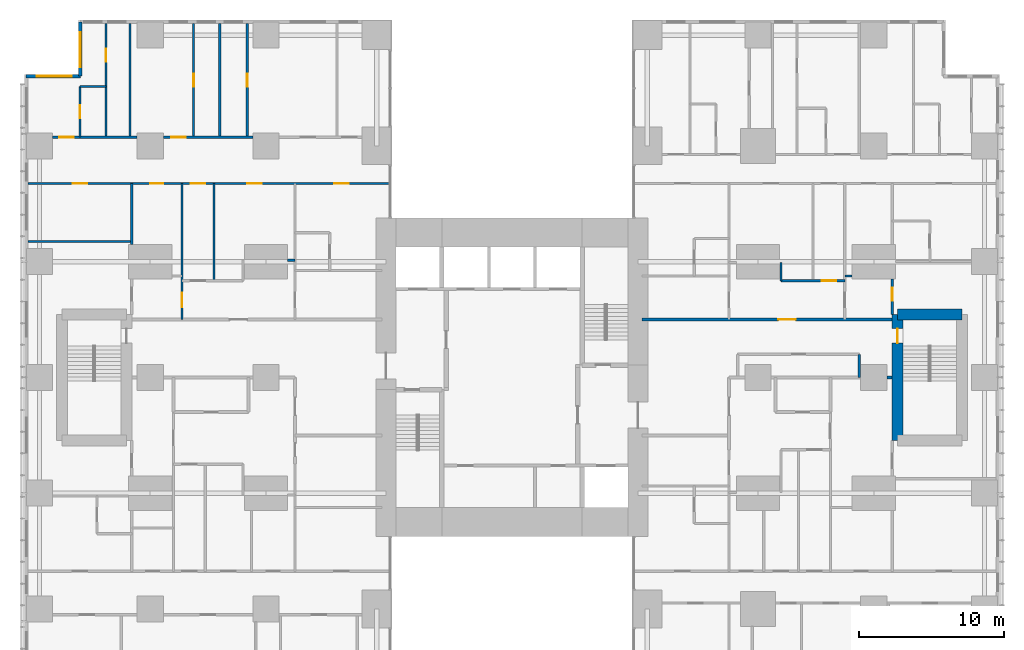
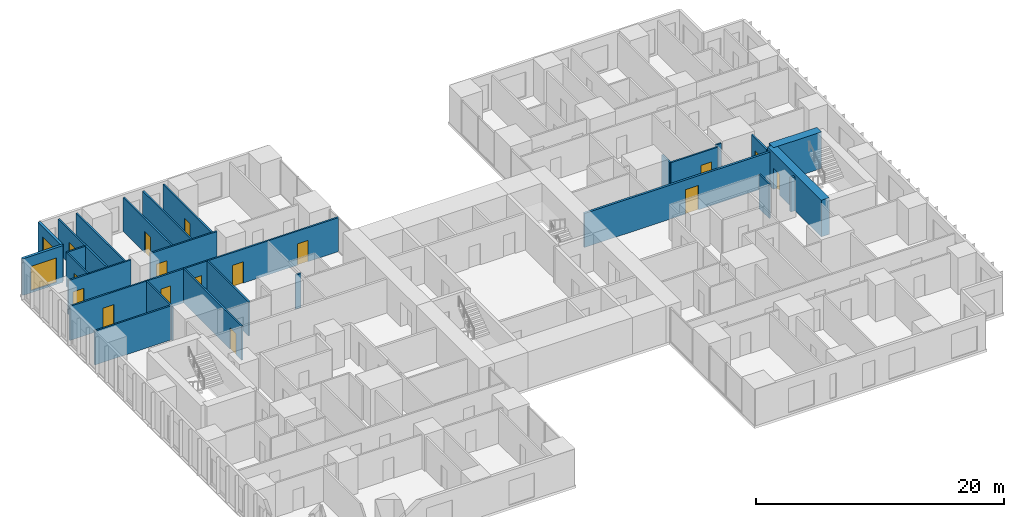
# One storey, part 16 of 20: 26 walls, 16 doors, 2 windows, 18 openings.
"""IFC4 building model written with IfcOpenShell, lengths in metres."""

from ifc_helpers import new_model, si_unit, direction, frame, frame_2d, origin, place, context, subcontext, project, spatial, rectangle, extrude, material, layer, layer_set, type_object, element, fill, save


model = new_model("IFC4")

# Units and contexts
model_context = context("Model", 3, precision=1e-05, world=origin(), true_north=direction((0.0, 1.0)))
body_context = subcontext(model_context, "Body", "Model", "MODEL_VIEW")
ifc_project = project(units=[si_unit("LENGTHUNIT", "METRE"), si_unit("AREAUNIT", "SQUARE_METRE"), si_unit("VOLUMEUNIT", "CUBIC_METRE"), si_unit("PLANEANGLEUNIT", "RADIAN"), si_unit("MASSUNIT", "GRAM", prefix="KILO")], contexts=[model_context])

# Site, building, storey
site_placement = place(None, origin())
site = spatial("IfcSite", under=ifc_project, at=site_placement, CompositionType="ELEMENT")
building_placement = place(site_placement, origin())
building = spatial("IfcBuilding", under=site, at=building_placement, Name="Cleftline Residences", CompositionType="ELEMENT")
storey_placement = place(building_placement, frame((0.0, 0.0, 196.60009765625)))
storey = spatial("IfcBuildingStorey", under=building, at=storey_placement, Name="L51", CompositionType="ELEMENT", Elevation=196.60009765625)

# Wall, opening, window
ifc_material_1 = material(Name="Rendered reinforced concrete blockwork", Category="masonry")
ifc_layer_1 = layer(ifc_material_1, 0.25)
ifc_layer_set_1 = layer_set([ifc_layer_1], Name="EXTERNAL WALL 250")
wall_type_1 = type_object("IfcWallType", Name="EXTERNAL WALL 250", PredefinedType="SOLIDWALL", material=ifc_layer_set_1)
wall_1_placement = place(storey_placement, frame((3.175048828125, 48.574951171875, 0.0), z_axis=(0.0, 0.0, 1.0), x_axis=(0.0, -1.0, 0.0)))
wall_1 = element("IfcWall", 1, at=wall_1_placement, inside=storey, type_object=wall_type_1, Name="External wall", PredefinedType="SOLIDWALL", context=body_context, shape_type="SweptSolid", body=[
    extrude(rectangle(XDim=3.75, YDim=0.25, at=frame_2d((1.875, 0.0))), origin(), (0.0, 0.0, 1.0), 3.599853515625),
])
opening_1_placement = place(wall_1_placement, frame((0.737548828125, 0.0, 0.199951171875)))
opening_1 = element("IfcOpeningElement", 2, at=opening_1_placement, cuts=wall_1, Name="Opening W9", PredefinedType="OPENING", context=body_context, shape_type="SweptSolid", body=[
    extrude(rectangle(XDim=2.39990234375, YDim=2.39990234375, at=frame_2d((1.199951171875, 1.199951171875))), frame((0.0, 0.135009765625, 0.0), z_axis=(0.0, -1.0, 0.0), x_axis=(1.0, 0.0, 0.0)), (0.0, 0.0, 1.0), 0.27001953125),
])
ifc_material_2 = material(Name="Aluminium frame, clear double glazing", Category="aluminium")
window_type = type_object("IfcWindowType", Name="WINDOW 2400X2400", PartitioningType="DOUBLE_PANEL_VERTICAL", PredefinedType="WINDOW", material=ifc_material_2)
window_1_placement = place(opening_1_placement, origin())
window_1 = element("IfcWindow", 3, at=window_1_placement, inside=storey, type_object=window_type, Name="Window", OverallHeight=2.39990234375, OverallWidth=2.39990234375, PartitioningType="SINGLE_PANEL", PredefinedType="WINDOW", context=body_context, shape_type="SweptSolid", body=[
    extrude(rectangle(XDim=2.39990234375, YDim=2.39990234375, at=frame_2d((1.199951171875, 1.199951171875))), frame((0.0, 0.030029296875, 0.0), z_axis=(0.0, -1.0, 0.0), x_axis=(1.0, 0.0, 0.0)), (0.0, 0.0, 1.0), 0.06005859375),
])
fill(opening_1, window_1)

wall_2_placement = place(storey_placement, frame((3.175048828125, 44.824951171875, 0.0), z_axis=(0.0, 0.0, 1.0), x_axis=(-1.0, 0.0, 0.0)))
wall_2 = element("IfcWall", 4, at=wall_2_placement, inside=storey, type_object=wall_type_1, Name="External wall", PredefinedType="SOLIDWALL", context=body_context, shape_type="SweptSolid", body=[
    extrude(rectangle(XDim=3.75, YDim=0.25, at=frame_2d((1.875, 0.0))), origin(), (0.0, 0.0, 1.0), 3.599853515625),
])
opening_2_placement = place(wall_2_placement, frame((0.612548828125, 0.0, 0.199951171875)))
opening_2 = element("IfcOpeningElement", 5, at=opening_2_placement, cuts=wall_2, Name="Opening W9", PredefinedType="OPENING", context=body_context, shape_type="SweptSolid", body=[
    extrude(rectangle(XDim=2.39990234375, YDim=2.39990234375, at=frame_2d((1.199951171875, 1.199951171875))), frame((0.0, 0.135009765625, 0.0), z_axis=(0.0, -1.0, 0.0), x_axis=(1.0, 0.0, 0.0)), (0.0, 0.0, 1.0), 0.27001953125),
])
window_2_placement = place(opening_2_placement, origin())
window_2 = element("IfcWindow", 6, at=window_2_placement, inside=storey, type_object=window_type, Name="Window", OverallHeight=2.39990234375, OverallWidth=2.39990234375, PartitioningType="SINGLE_PANEL", PredefinedType="WINDOW", context=body_context, shape_type="SweptSolid", body=[
    extrude(rectangle(XDim=2.39990234375, YDim=2.39990234375, at=frame_2d((1.199951171875, 1.199951171875))), frame((0.0, 0.030029296875, 0.0), z_axis=(0.0, -1.0, 0.0), x_axis=(1.0, 0.0, 0.0)), (0.0, 0.0, 1.0), 0.06005859375),
])
fill(opening_2, window_2)

# Wall
ifc_material_3 = material(Name="Concrete blockwork, fire rated", Category="masonry")
ifc_layer_2 = layer(ifc_material_3, 0.199951171875)
ifc_layer_set_2 = layer_set([ifc_layer_2], Name="FIRE WALL 200")
wall_type_2 = type_object("IfcWallType", Name="FIRE WALL 200", PredefinedType="PARTITIONING", material=ifc_layer_set_2)
wall_3_placement = place(storey_placement, frame((58.89990234375, 24.0, 0.0), z_axis=(0.0, 0.0, 1.0), x_axis=(1.0, 0.0, 0.0)))
element("IfcWall", 7, at=wall_3_placement, inside=storey, type_object=wall_type_2, Name="Fire separating wall", PredefinedType="PARTITIONING", context=body_context, shape_type="SweptSolid", body=[
    extrude(rectangle(XDim=0.375, YDim=0.199951171875, at=frame_2d((0.1875, 0.0))), origin(), (0.0, 0.0, 1.0), 3.349853515625),
])

# Wall, opening, door
wall_4_placement = place(storey_placement, frame((42.0, 28.0, 0.0), z_axis=(0.0, 0.0, 1.0), x_axis=(1.0, 0.0, 0.0)))
wall_4 = element("IfcWall", 8, at=wall_4_placement, inside=storey, type_object=wall_type_2, Name="Fire separating wall", PredefinedType="PARTITIONING", context=body_context, shape_type="SweptSolid", body=[
    extrude(rectangle(XDim=17.27490234375, YDim=0.199951171875, at=frame_2d((8.637451171875, 0.0))), origin(), (0.0, 0.0, 1.0), 3.349853515625),
])
opening_3_placement = place(wall_4_placement, frame((9.39990234375, 0.0, 0.0)))
opening_3 = element("IfcOpeningElement", 9, at=opening_3_placement, cuts=wall_4, Name="Opening D4", PredefinedType="OPENING", context=body_context, shape_type="SweptSolid", body=[
    extrude(rectangle(XDim=1.199951171875, YDim=2.39990234375, at=frame_2d((0.60009765625, 1.199951171875))), frame((0.0, 0.10986328125, 0.0), z_axis=(0.0, -1.0, 0.0), x_axis=(1.0, 0.0, 0.0)), (0.0, 0.0, 1.0), 0.219970703125),
])
ifc_material_4 = material(Name="Timber veneer on solid core", Category="wood")
door_type_1 = type_object("IfcDoorType", Name="APARTMENT ENTRANCE DOOR 1200X2400", OperationType="SINGLE_SWING_RIGHT", PredefinedType="DOOR", material=ifc_material_4)
door_1_placement = place(opening_3_placement, origin())
door_1 = element("IfcDoor", 10, at=door_1_placement, inside=storey, type_object=door_type_1, Name="Door to residence entrance (gallery)", OperationType="SINGLE_SWING_LEFT", OverallHeight=2.39990234375, OverallWidth=1.199951171875, PredefinedType="DOOR", context=body_context, shape_type="SweptSolid", body=[
    extrude(rectangle(XDim=1.199951171875, YDim=2.39990234375, at=frame_2d((0.60009765625, 1.199951171875))), frame((0.0, 0.02490234375, 0.0), z_axis=(0.0, -1.0, 0.0), x_axis=(1.0, 0.0, 0.0)), (0.0, 0.0, 1.0), 0.050048828125),
])
fill(opening_3, door_1)

ifc_material_5 = material(Name="Gypsum board on steel studs", Category="steel")
ifc_layer_3 = layer(ifc_material_5, 0.14990234375)
ifc_layer_set_3 = layer_set([ifc_layer_3], Name="PARTITION 150")
wall_type_3 = type_object("IfcWallType", Name="PARTITION 150", PredefinedType="PARTITIONING", material=ifc_layer_set_3)
wall_5_placement = place(storey_placement, frame((51.60009765625, 30.675048828125, 0.0), z_axis=(0.0, 0.0, 1.0), x_axis=(1.0, 0.0, 0.0)))
wall_5 = element("IfcWall", 11, at=wall_5_placement, inside=storey, type_object=wall_type_3, Name="Partition", PredefinedType="PARTITIONING", context=body_context, shape_type="SweptSolid", body=[
    extrude(rectangle(XDim=4.39990234375, YDim=0.14990234375, at=frame_2d((2.199951171875, 0.0))), origin(), (0.0, 0.0, 1.0), 3.349853515625),
])
opening_4_placement = place(wall_5_placement, frame((2.800048828125, 0.0, 0.0)))
opening_4 = element("IfcOpeningElement", 12, at=opening_4_placement, cuts=wall_5, Name="Opening D2", PredefinedType="OPENING", context=body_context, shape_type="SweptSolid", body=[
    extrude(rectangle(XDim=1.0, YDim=2.10009765625, at=frame_2d((0.5, 1.050048828125))), frame((0.0, 0.0849609375, 0.0), z_axis=(0.0, -1.0, 0.0), x_axis=(1.0, 0.0, 0.0)), (0.0, 0.0, 1.0), 0.169921875),
])
ifc_material_6 = material(Name="Timber veneer on solid core", Category="wood")
door_type_2 = type_object("IfcDoorType", Name="DOOR 1000X2100", OperationType="SINGLE_SWING_LEFT", PredefinedType="DOOR", material=ifc_material_6)
door_2_placement = place(opening_4_placement, origin())
door_2 = element("IfcDoor", 13, at=door_2_placement, inside=storey, type_object=door_type_2, Name="Door to residence passage", OperationType="SINGLE_SWING_LEFT", OverallHeight=2.10009765625, OverallWidth=1.0, PredefinedType="DOOR", context=body_context, shape_type="SweptSolid", body=[
    extrude(rectangle(XDim=1.0, YDim=2.10009765625, at=frame_2d((0.5, 1.050048828125))), frame((0.0, 0.02490234375, 0.0), z_axis=(0.0, -1.0, 0.0), x_axis=(1.0, 0.0, 0.0)), (0.0, 0.0, 1.0), 0.050048828125),
])
fill(opening_4, door_2)

# Walls
for number, where, z_axis, x_axis, name in (
    (14, (56.0, 31.0, 0.0), (0.0, 0.0, 1.0), (1.0, 0.0, 0.0), "Partition"),
    (15, (17.5, 32.10009765625, 0.0), (0.0, 0.0, 1.0), (1.0, 0.0, 0.0), "Partition"),
):
    element("IfcWall", number, at=place(storey_placement, frame(where, z_axis=z_axis, x_axis=x_axis)), inside=storey, type_object=wall_type_3, Name=name, PredefinedType="PARTITIONING", context=body_context, shape_type="SweptSolid", body=[
        extrude(rectangle(XDim=0.5, YDim=0.14990234375, at=frame_2d((0.25, 0.0))), origin(), (0.0, 0.0, 1.0), 3.349853515625),
    ])
wall_6_placement = place(storey_placement, frame((-0.449951171875, 33.39990234375, 0.0), z_axis=(0.0, 0.0, 1.0), x_axis=(1.0, 0.0, 0.0)))
element("IfcWall", 16, at=wall_6_placement, inside=storey, type_object=wall_type_3, Name="Partition", PredefinedType="PARTITIONING", context=body_context, shape_type="SweptSolid", body=[
    extrude(rectangle(XDim=7.175048828125, YDim=0.14990234375, at=frame_2d((3.58740234375, 0.0))), origin(), (0.0, 0.0, 1.0), 3.349853515625),
])

# Wall, openings, doors
wall_7_placement = place(storey_placement, frame((-0.449951171875, 37.39990234375, 0.0), z_axis=(0.0, 0.0, 1.0), x_axis=(1.0, 0.0, 0.0)))
wall_7 = element("IfcWall", 17, at=wall_7_placement, inside=storey, type_object=wall_type_3, Name="Partition", PredefinedType="PARTITIONING", context=body_context, shape_type="SweptSolid", body=[
    extrude(rectangle(XDim=25.010986328125, YDim=0.14990234375, at=frame_2d((12.50537109375, 0.0))), origin(), (0.0, 0.0, 1.0), 3.349853515625),
])
opening_5_placement = place(wall_7_placement, frame((11.25, 0.0, 0.0)))
opening_5 = element("IfcOpeningElement", 18, at=opening_5_placement, cuts=wall_7, Name="Opening D2", PredefinedType="OPENING", context=body_context, shape_type="SweptSolid", body=[
    extrude(rectangle(XDim=1.0, YDim=2.10009765625, at=frame_2d((0.5, 1.050048828125))), frame((0.0, 0.0849609375, 0.0), z_axis=(0.0, -1.0, 0.0), x_axis=(1.0, 0.0, 0.0)), (0.0, 0.0, 1.0), 0.169921875),
])
opening_6_placement = place(wall_7_placement, frame((3.08740234375, 0.0, 0.0)))
opening_6 = element("IfcOpeningElement", 19, at=opening_6_placement, cuts=wall_7, Name="Opening D2", PredefinedType="OPENING", context=body_context, shape_type="SweptSolid", body=[
    extrude(rectangle(XDim=1.0, YDim=2.10009765625, at=frame_2d((0.5, 1.050048828125))), frame((0.0, 0.0849609375, 0.0), z_axis=(0.0, -1.0, 0.0), x_axis=(1.0, 0.0, 0.0)), (0.0, 0.0, 1.0), 0.169921875),
])
opening_7_placement = place(wall_7_placement, frame((8.46240234375, 0.0, 0.0)))
opening_7 = element("IfcOpeningElement", 20, at=opening_7_placement, cuts=wall_7, Name="Opening D1", PredefinedType="OPENING", context=body_context, shape_type="SweptSolid", body=[
    extrude(rectangle(XDim=0.89990234375, YDim=2.10009765625, at=frame_2d((0.449951171875, 1.050048828125))), frame((0.0, 0.0849609375, 0.0), z_axis=(0.0, -1.0, 0.0), x_axis=(1.0, 0.0, 0.0)), (0.0, 0.0, 1.0), 0.169921875),
])
opening_8_placement = place(wall_7_placement, frame((15.14990234375, 0.0, 0.0)))
opening_8 = element("IfcOpeningElement", 21, at=opening_8_placement, cuts=wall_7, Name="Opening D2", PredefinedType="OPENING", context=body_context, shape_type="SweptSolid", body=[
    extrude(rectangle(XDim=1.0, YDim=2.10009765625, at=frame_2d((0.5, 1.050048828125))), frame((0.0, 0.0849609375, 0.0), z_axis=(0.0, -1.0, 0.0), x_axis=(1.0, 0.0, 0.0)), (0.0, 0.0, 1.0), 0.169921875),
])
opening_9_placement = place(wall_7_placement, frame((21.175048828125, 0.0, 0.0)))
opening_9 = element("IfcOpeningElement", 22, at=opening_9_placement, cuts=wall_7, Name="Opening D2", PredefinedType="OPENING", context=body_context, shape_type="SweptSolid", body=[
    extrude(rectangle(XDim=1.0, YDim=2.10009765625, at=frame_2d((0.5, 1.050048828125))), frame((0.0, 0.0849609375, 0.0), z_axis=(0.0, -1.0, 0.0), x_axis=(1.0, 0.0, 0.0)), (0.0, 0.0, 1.0), 0.169921875),
])
door_3_placement = place(opening_5_placement, origin())
door_3 = element("IfcDoor", 23, at=door_3_placement, inside=storey, type_object=door_type_2, Name="Door to residence hall", OperationType="SINGLE_SWING_RIGHT", OverallHeight=2.10009765625, OverallWidth=1.0, PredefinedType="DOOR", context=body_context, shape_type="SweptSolid", body=[
    extrude(rectangle(XDim=1.0, YDim=2.10009765625, at=frame_2d((0.5, 1.050048828125))), frame((0.0, 0.02490234375, 0.0), z_axis=(0.0, -1.0, 0.0), x_axis=(1.0, 0.0, 0.0)), (0.0, 0.0, 1.0), 0.050048828125),
])
fill(opening_5, door_3)
door_4_placement = place(opening_6_placement, origin())
door_4 = element("IfcDoor", 24, at=door_4_placement, inside=storey, type_object=door_type_2, Name="Door to study", OperationType="SINGLE_SWING_RIGHT", OverallHeight=2.10009765625, OverallWidth=1.0, PredefinedType="DOOR", context=body_context, shape_type="SweptSolid", body=[
    extrude(rectangle(XDim=1.0, YDim=2.10009765625, at=frame_2d((0.5, 1.050048828125))), frame((0.0, 0.02490234375, 0.0), z_axis=(0.0, -1.0, 0.0), x_axis=(1.0, 0.0, 0.0)), (0.0, 0.0, 1.0), 0.050048828125),
])
fill(opening_6, door_4)
door_5_placement = place(opening_8_placement, origin())
door_5 = element("IfcDoor", 25, at=door_5_placement, inside=storey, type_object=door_type_2, Name="Door to media room", OperationType="SINGLE_SWING_LEFT", OverallHeight=2.10009765625, OverallWidth=1.0, PredefinedType="DOOR", context=body_context, shape_type="SweptSolid", body=[
    extrude(rectangle(XDim=1.0, YDim=2.10009765625, at=frame_2d((0.5, 1.050048828125))), frame((0.0, 0.02490234375, 0.0), z_axis=(0.0, -1.0, 0.0), x_axis=(1.0, 0.0, 0.0)), (0.0, 0.0, 1.0), 0.050048828125),
])
fill(opening_8, door_5)
door_6_placement = place(opening_9_placement, origin())
door_6 = element("IfcDoor", 26, at=door_6_placement, inside=storey, type_object=door_type_2, Name="Door to bedroom 4", OperationType="SINGLE_SWING_LEFT", OverallHeight=2.10009765625, OverallWidth=1.0, PredefinedType="DOOR", context=body_context, shape_type="SweptSolid", body=[
    extrude(rectangle(XDim=1.0, YDim=2.10009765625, at=frame_2d((0.5, 1.050048828125))), frame((0.0, 0.02490234375, 0.0), z_axis=(0.0, -1.0, 0.0), x_axis=(1.0, 0.0, 0.0)), (0.0, 0.0, 1.0), 0.050048828125),
])
fill(opening_9, door_6)
ifc_material_7 = material(Name="Timber veneer on solid core", Category="wood")
door_type_3 = type_object("IfcDoorType", Name="DOOR 900X2100", OperationType="SINGLE_SWING_LEFT", PredefinedType="DOOR", material=ifc_material_7)
door_7_placement = place(opening_7_placement, origin())
door_7 = element("IfcDoor", 27, at=door_7_placement, inside=storey, type_object=door_type_3, Name="Door to guest bathroom", OperationType="SINGLE_SWING_RIGHT", OverallHeight=2.10009765625, OverallWidth=0.89990234375, PredefinedType="DOOR", context=body_context, shape_type="SweptSolid", body=[
    extrude(rectangle(XDim=0.89990234375, YDim=2.10009765625, at=frame_2d((0.449951171875, 1.050048828125))), frame((0.0, 0.02490234375, 0.0), z_axis=(0.0, -1.0, 0.0), x_axis=(1.0, 0.0, 0.0)), (0.0, 0.0, 1.0), 0.050048828125),
])
fill(opening_7, door_7)

# Wall, opening, door
wall_8_placement = place(storey_placement, frame((1.25, 40.60009765625, 0.0), z_axis=(0.0, 0.0, 1.0), x_axis=(1.0, 0.0, 0.0)))
wall_8 = element("IfcWall", 28, at=wall_8_placement, inside=storey, type_object=wall_type_3, Name="Partition", PredefinedType="PARTITIONING", context=body_context, shape_type="SweptSolid", body=[
    extrude(rectangle(XDim=5.85009765625, YDim=0.14990234375, at=frame_2d((2.925048828125, 0.0))), origin(), (0.0, 0.0, 1.0), 3.349853515625),
])
opening_10_placement = place(wall_8_placement, frame((0.449951171875, 0.0, 0.0)))
opening_10 = element("IfcOpeningElement", 29, at=opening_10_placement, cuts=wall_8, Name="Opening D2", PredefinedType="OPENING", context=body_context, shape_type="SweptSolid", body=[
    extrude(rectangle(XDim=1.0, YDim=2.10009765625, at=frame_2d((0.5, 1.050048828125))), frame((0.0, 0.0849609375, 0.0), z_axis=(0.0, -1.0, 0.0), x_axis=(1.0, 0.0, 0.0)), (0.0, 0.0, 1.0), 0.169921875),
])
door_8_placement = place(opening_10_placement, origin())
door_8 = element("IfcDoor", 30, at=door_8_placement, inside=storey, type_object=door_type_2, Name="Door to bedroom 2", OperationType="SINGLE_SWING_RIGHT", OverallHeight=2.10009765625, OverallWidth=1.0, PredefinedType="DOOR", context=body_context, shape_type="SweptSolid", body=[
    extrude(rectangle(XDim=1.0, YDim=2.10009765625, at=frame_2d((0.5, 1.050048828125))), frame((0.0, 0.02490234375, 0.0), z_axis=(0.0, -1.0, 0.0), x_axis=(1.0, 0.0, 0.0)), (0.0, 0.0, 1.0), 0.050048828125),
])
fill(opening_10, door_8)

wall_9_placement = place(storey_placement, frame((8.89990234375, 40.60009765625, 0.0), z_axis=(0.0, 0.0, 1.0), x_axis=(1.0, 0.0, 0.0)))
wall_9 = element("IfcWall", 31, at=wall_9_placement, inside=storey, type_object=wall_type_3, Name="Partition", PredefinedType="PARTITIONING", context=body_context, shape_type="SweptSolid", body=[
    extrude(rectangle(XDim=6.2001953125, YDim=0.14990234375, at=frame_2d((3.10009765625, 0.0))), origin(), (0.0, 0.0, 1.0), 3.349853515625),
])
opening_11_placement = place(wall_9_placement, frame((0.550048828125, 0.0, 0.0)))
opening_11 = element("IfcOpeningElement", 32, at=opening_11_placement, cuts=wall_9, Name="Opening D2", PredefinedType="OPENING", context=body_context, shape_type="SweptSolid", body=[
    extrude(rectangle(XDim=1.0, YDim=2.10009765625, at=frame_2d((0.5, 1.050048828125))), frame((0.0, 0.0849609375, 0.0), z_axis=(0.0, -1.0, 0.0), x_axis=(1.0, 0.0, 0.0)), (0.0, 0.0, 1.0), 0.169921875),
])
door_9_placement = place(opening_11_placement, origin())
door_9 = element("IfcDoor", 33, at=door_9_placement, inside=storey, type_object=door_type_2, Name="Door to bedroom 3", OperationType="SINGLE_SWING_RIGHT", OverallHeight=2.10009765625, OverallWidth=1.0, PredefinedType="DOOR", context=body_context, shape_type="SweptSolid", body=[
    extrude(rectangle(XDim=1.0, YDim=2.10009765625, at=frame_2d((0.5, 1.050048828125))), frame((0.0, 0.02490234375, 0.0), z_axis=(0.0, -1.0, 0.0), x_axis=(1.0, 0.0, 0.0)), (0.0, 0.0, 1.0), 0.050048828125),
])
fill(opening_11, door_9)

# Wall
wall_10_placement = place(storey_placement, frame((3.14990234375, 44.10009765625, 0.0), z_axis=(0.0, 0.0, 1.0), x_axis=(1.0, 0.0, 0.0)))
element("IfcWall", 34, at=wall_10_placement, inside=storey, type_object=wall_type_3, Name="Partition", PredefinedType="PARTITIONING", context=body_context, shape_type="SweptSolid", body=[
    extrude(rectangle(XDim=1.800048828125, YDim=0.14990234375, at=frame_2d((0.89990234375, 0.0))), origin(), (0.0, 0.0, 1.0), 3.349853515625),
])

# Wall, opening, door
wall_11_placement = place(storey_placement, frame((3.14990234375, 40.60009765625, 0.0), z_axis=(0.0, 0.0, 1.0), x_axis=(0.0, 1.0, 0.0)))
wall_11 = element("IfcWall", 35, at=wall_11_placement, inside=storey, type_object=wall_type_3, Name="Partition", PredefinedType="PARTITIONING", context=body_context, shape_type="SweptSolid", body=[
    extrude(rectangle(XDim=3.5, YDim=0.14990234375, at=frame_2d((1.75, 0.0))), origin(), (0.0, 0.0, 1.0), 3.349853515625),
])
opening_12_placement = place(wall_11_placement, frame((1.300048828125, 0.0, 0.0)))
opening_12 = element("IfcOpeningElement", 36, at=opening_12_placement, cuts=wall_11, Name="Opening D1", PredefinedType="OPENING", context=body_context, shape_type="SweptSolid", body=[
    extrude(rectangle(XDim=0.89990234375, YDim=2.10009765625, at=frame_2d((0.449951171875, 1.050048828125))), frame((0.0, 0.0849609375, 0.0), z_axis=(0.0, -1.0, 0.0), x_axis=(1.0, 0.0, 0.0)), (0.0, 0.0, 1.0), 0.169921875),
])
door_10_placement = place(opening_12_placement, origin())
door_10 = element("IfcDoor", 37, at=door_10_placement, inside=storey, type_object=door_type_3, Name="Door to en-suite bathroom 2", OperationType="SINGLE_SWING_LEFT", OverallHeight=2.10009765625, OverallWidth=0.89990234375, PredefinedType="DOOR", context=body_context, shape_type="SweptSolid", body=[
    extrude(rectangle(XDim=0.89990234375, YDim=2.10009765625, at=frame_2d((0.449951171875, 1.050048828125))), frame((0.0, 0.02490234375, 0.0), z_axis=(0.0, -1.0, 0.0), x_axis=(1.0, 0.0, 0.0)), (0.0, 0.0, 1.0), 0.050048828125),
])
fill(opening_12, door_10)

wall_12_placement = place(storey_placement, frame((4.949951171875, 40.60009765625, 0.0), z_axis=(0.0, 0.0, 1.0), x_axis=(0.0, 1.0, 0.0)))
wall_12 = element("IfcWall", 38, at=wall_12_placement, inside=storey, type_object=wall_type_3, Name="Partition", PredefinedType="PARTITIONING", context=body_context, shape_type="SweptSolid", body=[
    extrude(rectangle(XDim=7.849853515625, YDim=0.14990234375, at=frame_2d((3.9248046875, 0.0))), origin(), (0.0, 0.0, 1.0), 3.349853515625),
])
opening_13_placement = place(wall_12_placement, frame((5.22509765625, 0.0, 0.0)))
opening_13 = element("IfcOpeningElement", 39, at=opening_13_placement, cuts=wall_12, Name="Opening D1", PredefinedType="OPENING", context=body_context, shape_type="SweptSolid", body=[
    extrude(rectangle(XDim=0.89990234375, YDim=2.10009765625, at=frame_2d((0.449951171875, 1.050048828125))), frame((0.0, 0.0849609375, 0.0), z_axis=(0.0, -1.0, 0.0), x_axis=(1.0, 0.0, 0.0)), (0.0, 0.0, 1.0), 0.169921875),
])
door_11_placement = place(opening_13_placement, origin())
door_11 = element("IfcDoor", 40, at=door_11_placement, inside=storey, type_object=door_type_3, Name="Door to walk-in wardrobe", OperationType="SINGLE_SWING_LEFT", OverallHeight=2.10009765625, OverallWidth=0.89990234375, PredefinedType="DOOR", context=body_context, shape_type="SweptSolid", body=[
    extrude(rectangle(XDim=0.89990234375, YDim=2.10009765625, at=frame_2d((0.449951171875, 1.050048828125))), frame((0.0, 0.02490234375, 0.0), z_axis=(0.0, -1.0, 0.0), x_axis=(1.0, 0.0, 0.0)), (0.0, 0.0, 1.0), 0.050048828125),
])
fill(opening_13, door_11)

# Walls
wall_13_placement = place(storey_placement, frame((6.60009765625, 40.60009765625, 0.0), z_axis=(0.0, 0.0, 1.0), x_axis=(0.0, 1.0, 0.0)))
element("IfcWall", 41, at=wall_13_placement, inside=storey, type_object=wall_type_3, Name="Partition", PredefinedType="PARTITIONING", context=body_context, shape_type="SweptSolid", body=[
    extrude(rectangle(XDim=7.849853515625, YDim=0.14990234375, at=frame_2d((3.9248046875, 0.0))), origin(), (0.0, 0.0, 1.0), 3.349853515625),
])
wall_14_placement = place(storey_placement, frame((6.72509765625, 33.199951171875, 0.0), z_axis=(0.0, 0.0, 1.0), x_axis=(0.0, 1.0, 0.0)))
element("IfcWall", 42, at=wall_14_placement, inside=storey, type_object=wall_type_3, Name="Partition", PredefinedType="PARTITIONING", context=body_context, shape_type="SweptSolid", body=[
    extrude(rectangle(XDim=4.199951171875, YDim=0.14990234375, at=frame_2d((2.10009765625, 0.0))), origin(), (0.0, 0.0, 1.0), 3.349853515625),
])

# Wall, opening, door
wall_15_placement = place(storey_placement, frame((10.199951171875, 28.0, 0.0), z_axis=(0.0, 0.0, 1.0), x_axis=(0.0, 1.0, 0.0)))
wall_15 = element("IfcWall", 43, at=wall_15_placement, inside=storey, type_object=wall_type_3, Name="Partition", PredefinedType="PARTITIONING", context=body_context, shape_type="SweptSolid", body=[
    extrude(rectangle(XDim=9.39990234375, YDim=0.14990234375, at=frame_2d((4.699951171875, 0.0))), origin(), (0.0, 0.0, 1.0), 3.349853515625),
])
opening_14_placement = place(wall_15_placement, frame((0.83740234375, 0.0, 0.0)))
opening_14 = element("IfcOpeningElement", 44, at=opening_14_placement, cuts=wall_15, Name="Opening D2F30", PredefinedType="OPENING", context=body_context, shape_type="SweptSolid", body=[
    extrude(rectangle(XDim=1.0, YDim=2.10009765625, at=frame_2d((0.5, 1.050048828125))), frame((0.0, 0.0849609375, 0.0), z_axis=(0.0, -1.0, 0.0), x_axis=(1.0, 0.0, 0.0)), (0.0, 0.0, 1.0), 0.169921875),
])
ifc_material_8 = material(Name="Timber veneer on solid core", Category="wood")
door_type_4 = type_object("IfcDoorType", Name="DOOR 1000X2100 EI 30", OperationType="SINGLE_SWING_LEFT", PredefinedType="DOOR", material=ifc_material_8)
door_12_placement = place(opening_14_placement, origin())
door_12 = element("IfcDoor", 45, at=door_12_placement, inside=storey, type_object=door_type_4, Name="Door to residence lobby (service)", OperationType="SINGLE_SWING_RIGHT", OverallHeight=2.10009765625, OverallWidth=1.0, PredefinedType="DOOR", context=body_context, shape_type="SweptSolid", body=[
    extrude(rectangle(XDim=1.0, YDim=2.10009765625, at=frame_2d((0.5, 1.050048828125))), frame((0.0, 0.02490234375, 0.0), z_axis=(0.0, -1.0, 0.0), x_axis=(1.0, 0.0, 0.0)), (0.0, 0.0, 1.0), 0.050048828125),
])
fill(opening_14, door_12)

wall_16_placement = place(storey_placement, frame((11.0, 40.60009765625, 0.0), z_axis=(0.0, 0.0, 1.0), x_axis=(0.0, 1.0, 0.0)))
wall_16 = element("IfcWall", 46, at=wall_16_placement, inside=storey, type_object=wall_type_3, Name="Partition", PredefinedType="PARTITIONING", context=body_context, shape_type="SweptSolid", body=[
    extrude(rectangle(XDim=7.849853515625, YDim=0.14990234375, at=frame_2d((3.9248046875, 0.0))), origin(), (0.0, 0.0, 1.0), 3.349853515625),
])
opening_15_placement = place(wall_16_placement, frame((3.47509765625, 0.0, 0.0)))
opening_15 = element("IfcOpeningElement", 47, at=opening_15_placement, cuts=wall_16, Name="Opening D1", PredefinedType="OPENING", context=body_context, shape_type="SweptSolid", body=[
    extrude(rectangle(XDim=0.89990234375, YDim=2.10009765625, at=frame_2d((0.449951171875, 1.050048828125))), frame((0.0, 0.0849609375, 0.0), z_axis=(0.0, -1.0, 0.0), x_axis=(1.0, 0.0, 0.0)), (0.0, 0.0, 1.0), 0.169921875),
])
door_13_placement = place(opening_15_placement, origin())
door_13 = element("IfcDoor", 48, at=door_13_placement, inside=storey, type_object=door_type_3, Name="Door to en-suite bathroom 3", OperationType="SINGLE_SWING_LEFT", OverallHeight=2.10009765625, OverallWidth=0.89990234375, PredefinedType="DOOR", context=body_context, shape_type="SweptSolid", body=[
    extrude(rectangle(XDim=0.89990234375, YDim=2.10009765625, at=frame_2d((0.449951171875, 1.050048828125))), frame((0.0, 0.02490234375, 0.0), z_axis=(0.0, -1.0, 0.0), x_axis=(1.0, 0.0, 0.0)), (0.0, 0.0, 1.0), 0.050048828125),
])
fill(opening_15, door_13)

# Walls
wall_17_placement = place(storey_placement, frame((12.39990234375, 30.675048828125, 0.0), z_axis=(0.0, 0.0, 1.0), x_axis=(0.0, 1.0, 0.0)))
element("IfcWall", 49, at=wall_17_placement, inside=storey, type_object=wall_type_3, Name="Partition", PredefinedType="PARTITIONING", context=body_context, shape_type="SweptSolid", body=[
    extrude(rectangle(XDim=6.724853515625, YDim=0.14990234375, at=frame_2d((3.3623046875, 0.0))), origin(), (0.0, 0.0, 1.0), 3.349853515625),
])
wall_18_placement = place(storey_placement, frame((12.800048828125, 40.60009765625, 0.0), z_axis=(0.0, 0.0, 1.0), x_axis=(0.0, 1.0, 0.0)))
element("IfcWall", 50, at=wall_18_placement, inside=storey, type_object=wall_type_3, Name="Partition", PredefinedType="PARTITIONING", context=body_context, shape_type="SweptSolid", body=[
    extrude(rectangle(XDim=7.849853515625, YDim=0.14990234375, at=frame_2d((3.9248046875, 0.0))), origin(), (0.0, 0.0, 1.0), 3.349853515625),
])

# Wall, opening, door
wall_19_placement = place(storey_placement, frame((14.699951171875, 40.60009765625, 0.0), z_axis=(0.0, 0.0, 1.0), x_axis=(0.0, 1.0, 0.0)))
wall_19 = element("IfcWall", 51, at=wall_19_placement, inside=storey, type_object=wall_type_3, Name="Partition", PredefinedType="PARTITIONING", context=body_context, shape_type="SweptSolid", body=[
    extrude(rectangle(XDim=7.849853515625, YDim=0.14990234375, at=frame_2d((3.9248046875, 0.0))), origin(), (0.0, 0.0, 1.0), 3.349853515625),
])
opening_16_placement = place(wall_19_placement, frame((3.47509765625, 0.0, 0.0)))
opening_16 = element("IfcOpeningElement", 52, at=opening_16_placement, cuts=wall_19, Name="Opening D1", PredefinedType="OPENING", context=body_context, shape_type="SweptSolid", body=[
    extrude(rectangle(XDim=0.89990234375, YDim=2.10009765625, at=frame_2d((0.449951171875, 1.050048828125))), frame((0.0, 0.0849609375, 0.0), z_axis=(0.0, -1.0, 0.0), x_axis=(1.0, 0.0, 0.0)), (0.0, 0.0, 1.0), 0.169921875),
])
door_14_placement = place(opening_16_placement, origin())
door_14 = element("IfcDoor", 53, at=door_14_placement, inside=storey, type_object=door_type_3, Name="Door to master bathroom", OperationType="SINGLE_SWING_LEFT", OverallHeight=2.10009765625, OverallWidth=0.89990234375, PredefinedType="DOOR", context=body_context, shape_type="SweptSolid", body=[
    extrude(rectangle(XDim=0.89990234375, YDim=2.10009765625, at=frame_2d((0.449951171875, 1.050048828125))), frame((0.0, 0.02490234375, 0.0), z_axis=(0.0, -1.0, 0.0), x_axis=(1.0, 0.0, 0.0)), (0.0, 0.0, 1.0), 0.050048828125),
])
fill(opening_16, door_14)

# Walls
wall_20_placement = place(storey_placement, frame((51.60009765625, 30.675048828125, 0.0), z_axis=(0.0, 0.0, 1.0), x_axis=(0.0, 1.0, 0.0)))
element("IfcWall", 54, at=wall_20_placement, inside=storey, type_object=wall_type_3, Name="Partition", PredefinedType="PARTITIONING", context=body_context, shape_type="SweptSolid", body=[
    extrude(rectangle(XDim=1.27490234375, YDim=0.14990234375, at=frame_2d((0.637451171875, 0.0))), origin(), (0.0, 0.0, 1.0), 3.349853515625),
])
wall_21_placement = place(storey_placement, frame((57.0, 24.0, 0.0), z_axis=(0.0, 0.0, 1.0), x_axis=(0.0, 1.0, 0.0)))
element("IfcWall", 55, at=wall_21_placement, inside=storey, type_object=wall_type_3, Name="Partition", PredefinedType="PARTITIONING", context=body_context, shape_type="SweptSolid", body=[
    extrude(rectangle(XDim=1.60009765625, YDim=0.14990234375, at=frame_2d((0.800048828125, 0.0))), origin(), (0.0, 0.0, 1.0), 3.349853515625),
])

# Wall, opening, door
wall_22_placement = place(storey_placement, frame((59.27490234375, 28.35009765625, 0.0), z_axis=(0.0, 0.0, 1.0), x_axis=(0.0, 1.0, 0.0)))
wall_22 = element("IfcWall", 56, at=wall_22_placement, inside=storey, type_object=wall_type_3, Name="Partition", PredefinedType="PARTITIONING", context=body_context, shape_type="SweptSolid", body=[
    extrude(rectangle(XDim=2.449951171875, YDim=0.14990234375, at=frame_2d((1.22509765625, 0.0))), origin(), (0.0, 0.0, 1.0), 3.349853515625),
])
opening_17_placement = place(wall_22_placement, frame((0.96240234375, 0.0, 0.0)))
opening_17 = element("IfcOpeningElement", 57, at=opening_17_placement, cuts=wall_22, Name="Opening D1", PredefinedType="OPENING", context=body_context, shape_type="SweptSolid", body=[
    extrude(rectangle(XDim=0.89990234375, YDim=2.10009765625, at=frame_2d((0.449951171875, 1.050048828125))), frame((0.0, 0.0849609375, 0.0), z_axis=(0.0, -1.0, 0.0), x_axis=(1.0, 0.0, 0.0)), (0.0, 0.0, 1.0), 0.169921875),
])
door_15_placement = place(opening_17_placement, origin())
door_15 = element("IfcDoor", 58, at=door_15_placement, inside=storey, type_object=door_type_3, Name="Door to master dressing room", OperationType="SINGLE_SWING_LEFT", OverallHeight=2.10009765625, OverallWidth=0.89990234375, PredefinedType="DOOR", context=body_context, shape_type="SweptSolid", body=[
    extrude(rectangle(XDim=0.89990234375, YDim=2.10009765625, at=frame_2d((0.449951171875, 1.050048828125))), frame((0.0, 0.02490234375, 0.0), z_axis=(0.0, -1.0, 0.0), x_axis=(1.0, 0.0, 0.0)), (0.0, 0.0, 1.0), 0.050048828125),
])
fill(opening_17, door_15)

# Wall
ifc_material_9 = material(Name="Concrete B70", Category="concrete")
ifc_layer_4 = layer(ifc_material_9, 0.75)
ifc_layer_set_4 = layer_set([ifc_layer_4], Name="SHEAR WALL 750")
wall_type_4 = type_object("IfcWallType", Name="SHEAR WALL 750", PredefinedType="SHEAR", material=ifc_layer_set_4)
wall_23_placement = place(storey_placement, frame((64.10009765625, 28.35009765625, 0.0), z_axis=(0.0, 0.0, 1.0), x_axis=(-1.0, 0.0, 0.0)))
element("IfcWall", 59, at=wall_23_placement, inside=storey, type_object=wall_type_4, Name="Wing shear wall", PredefinedType="SHEAR", context=body_context, shape_type="SweptSolid", body=[
    extrude(rectangle(XDim=4.4501953125, YDim=0.75, at=frame_2d((2.22509765625, 0.0))), origin(), (0.0, 0.0, 1.0), 3.599853515625),
])

# Wall, opening, door
wall_24_placement = place(storey_placement, frame((59.64990234375, 28.35009765625, 0.0), z_axis=(0.0, 0.0, 1.0), x_axis=(0.0, -1.0, 0.0)))
wall_24 = element("IfcWall", 60, at=wall_24_placement, inside=storey, type_object=wall_type_4, Name="Wing shear wall", PredefinedType="SHEAR", context=body_context, shape_type="SweptSolid", body=[
    extrude(rectangle(XDim=8.7001953125, YDim=0.75, at=frame_2d((4.35009765625, 0.0))), origin(), (0.0, 0.0, 1.0), 3.599853515625),
])
opening_18_placement = place(wall_24_placement, frame((0.97509765625, 0.0, 0.0)))
opening_18 = element("IfcOpeningElement", 61, at=opening_18_placement, cuts=wall_24, Name="Opening D5", PredefinedType="OPENING", context=body_context, shape_type="SweptSolid", body=[
    extrude(rectangle(XDim=1.0, YDim=2.10009765625, at=frame_2d((0.5, 1.050048828125))), frame((0.0, 0.385009765625, 0.0), z_axis=(0.0, -1.0, 0.0), x_axis=(1.0, 0.0, 0.0)), (0.0, 0.0, 1.0), 0.77001953125),
])
ifc_material_10 = material(Name="Steel", Category="steel")
door_type_5 = type_object("IfcDoorType", Name="STAIR DOOR 1000X2100", OperationType="SINGLE_SWING_LEFT", PredefinedType="DOOR", material=ifc_material_10)
door_16_placement = place(opening_18_placement, origin())
door_16 = element("IfcDoor", 62, at=door_16_placement, inside=storey, type_object=door_type_5, Name="Stair E door", OperationType="SINGLE_SWING_RIGHT", OverallHeight=2.10009765625, OverallWidth=1.0, PredefinedType="DOOR", context=body_context, shape_type="SweptSolid", body=[
    extrude(rectangle(XDim=1.0, YDim=2.10009765625, at=frame_2d((0.5, 1.050048828125))), frame((0.0, 0.02490234375, 0.0), z_axis=(0.0, -1.0, 0.0), x_axis=(1.0, 0.0, 0.0)), (0.0, 0.0, 1.0), 0.050048828125),
])
fill(opening_18, door_16)

save(model, "model.ifc")
